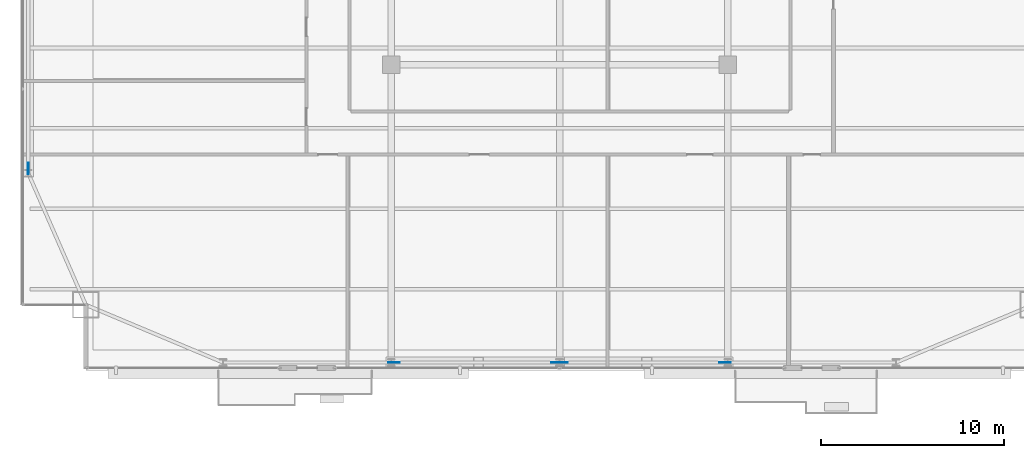
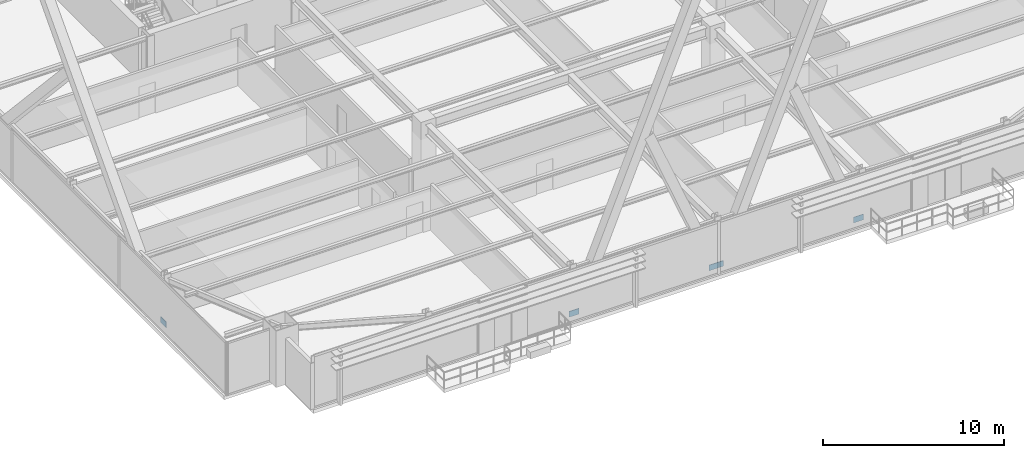
# One storey, part 30 of 38: 5 plates.
"""IFC4 building model written with IfcOpenShell, lengths in metres."""

from ifc_helpers import new_model, si_unit, direction, frame, origin, origin_2d, place, context, subcontext, project, spatial, rectangle, extrude, source, transform, mapped, material, layer, layer_set, type_object, type_shapes, element, save


model = new_model("IFC4")

# Units and contexts
model_context = context("Model", 3, precision=1e-05, world=origin(), true_north=direction((0.0, 1.0)))
body_context = subcontext(model_context, "Body", "Model", "MODEL_VIEW")
ifc_project = project(units=[si_unit("LENGTHUNIT", "METRE"), si_unit("AREAUNIT", "SQUARE_METRE"), si_unit("VOLUMEUNIT", "CUBIC_METRE"), si_unit("PLANEANGLEUNIT", "RADIAN"), si_unit("MASSUNIT", "GRAM", prefix="KILO")], contexts=[model_context])

# Site, building, storey
site_placement = place(None, origin())
site = spatial("IfcSite", under=ifc_project, at=site_placement, CompositionType="ELEMENT")
building_placement = place(site_placement, origin())
building = spatial("IfcBuilding", under=site, at=building_placement, Name="Varnel Quay Broadcast Tower", CompositionType="ELEMENT")
storey_placement = place(building_placement, frame((0.0, 0.0, 118.199951171875)))
storey = spatial("IfcBuildingStorey", under=building, at=storey_placement, Name="L28", CompositionType="ELEMENT", Elevation=118.199951171875)

# Plates
ifc_material = material(Name="Structural Steel CSA G40.21 350WT", Category="steel")
ifc_layer = layer(ifc_material, 0.031982421875, Name="Structural Steel CSA G40.21 350WT")
ifc_layer_set = layer_set([ifc_layer], Name="Structural Steel CSA G40.21 350WT")
plate_type = type_object("IfcPlateType", Name="Plate_EndCap", PredefinedType="USERDEFINED", material=ifc_layer_set)
shared_shape = source(origin(), body_context, "Body", "SweptSolid", [
    extrude(rectangle(XDim=0.6201171875, YDim=0.031982421875, at=origin_2d()), origin(), (0.0, 0.0, 1.0), 0.3798828125),
])
type_shapes(plate_type, [shared_shape])
for number, where, z_axis, x_axis, name in (
    (1, (24.944091796875, 4.64990234375, 0.181640625), (0.0, 0.0, 1.0), (1.0, 0.0, 0.0), "Zone 2 Mega-Brace S-C1T3 Diag A End Connection Plate P0"),
    (2, (33.85595703125, 4.64990234375, 0.181640625), (0.0, 0.0, 1.0), (1.0, 0.0, 0.0), "Zone 2 Mega-Brace S-C1T3 Diag B1 End Connection Plate P0"),
    (3, (34.14404296875, 4.64990234375, 0.181640625), (0.0, 0.0, 1.0), (1.0, 0.0, 0.0), "Zone 2 Mega-Brace S-C2T3 Diag A End Connection Plate P0"),
    (4, (43.055908203125, 4.64990234375, 0.181640625), (0.0, 0.0, 1.0), (1.0, 0.0, 0.0), "Zone 2 Mega-Brace S-C2T3 Diag B1 End Connection Plate P0"),
    (5, (4.949951171875, 15.257080078125, 0.110107421875), (0.0, 0.0, 1.0), (0.0, 1.0, 0.0), "Zone 2 Mega-Brace W-FT3 Diag A End Connection Plate P0"),
):
    element("IfcPlate", number, at=place(storey_placement, frame(where, z_axis=z_axis, x_axis=x_axis)), inside=storey, type_object=plate_type, Name=name, ObjectType="CAP_PLATE", PredefinedType="USERDEFINED", context=body_context, shape_type="MappedRepresentation", body=[
        mapped(shared_shape, transform((0.0, 0.0, 0.0), x_axis=(1.0, 0.0, 0.0), y_axis=(0.0, 1.0, 0.0), z_axis=(0.0, 0.0, 1.0), scale=1.0)),
    ])

save(model, "model.ifc")
